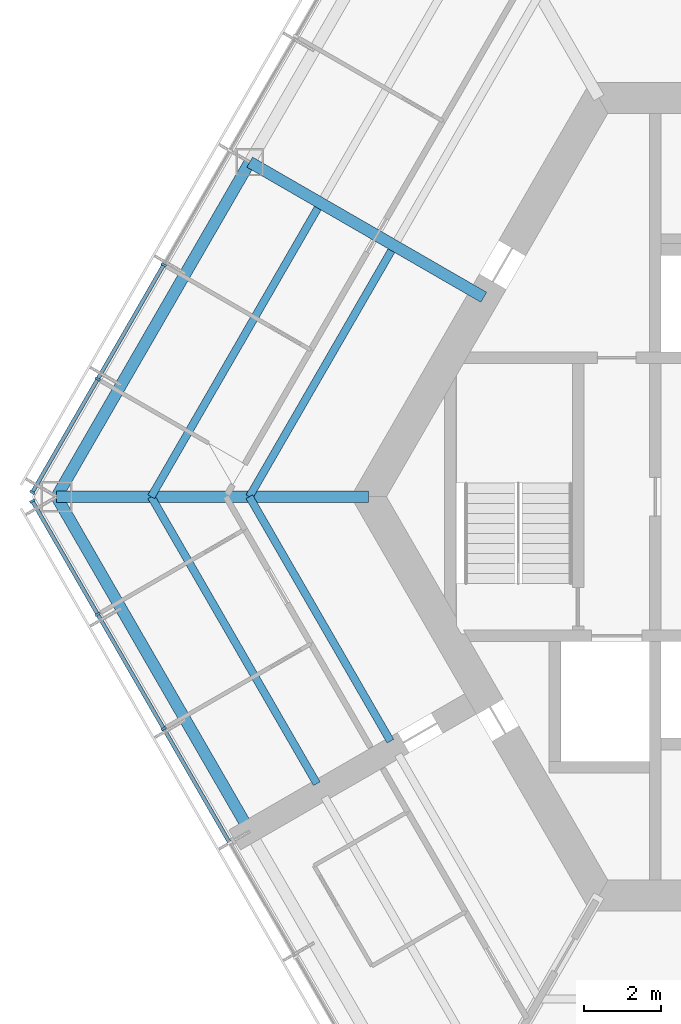
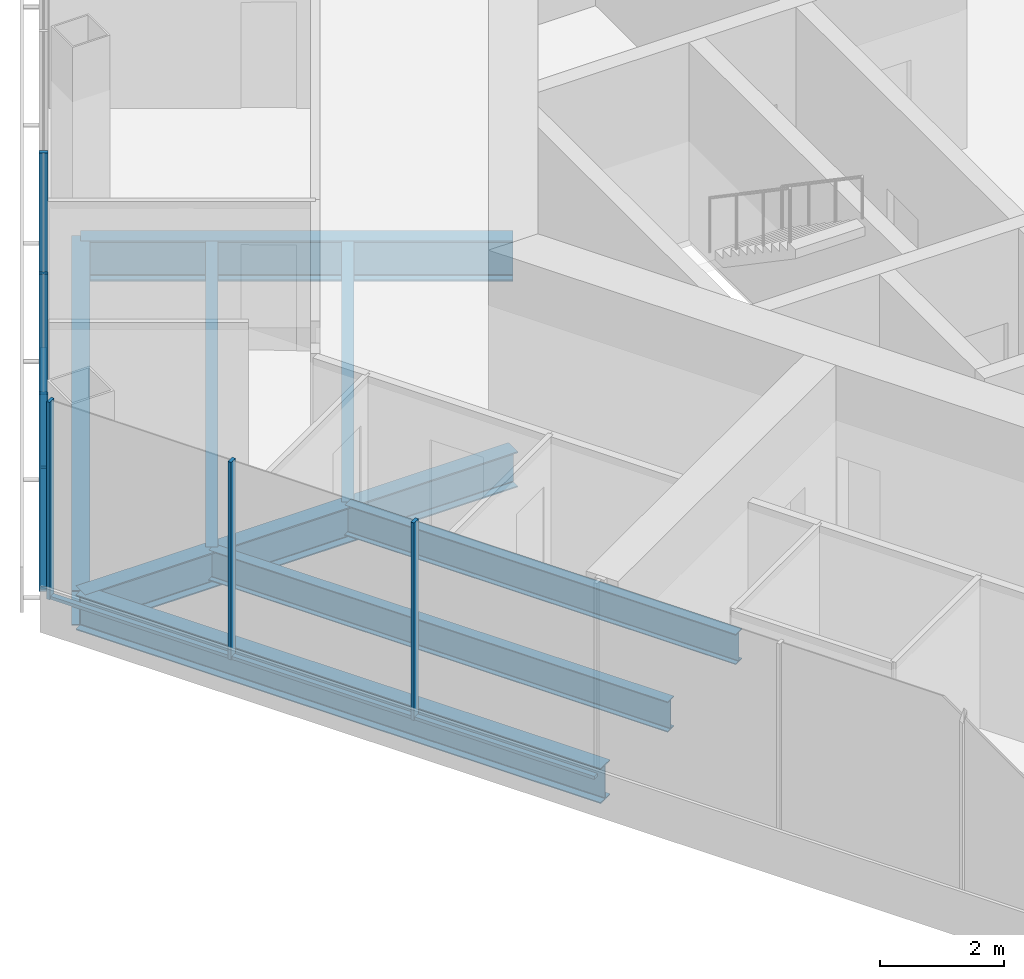
# One storey, part 3 of 17: 11 members, 8 beams, 2 elements without a shape of their own.
"""IFC4 building model written with IfcOpenShell, lengths in metres."""

from ifc_helpers import new_model, si_unit, direction, frame, origin, origin_2d, place, context, subcontext, project, spatial, rectangle, i_section, extrude, material, material_profile, profile_set, type_object, element, aggregate, save


model = new_model("IFC4")

# Units and contexts
model_context = context("Model", 3, precision=1e-05, world=origin(), true_north=direction((0.0, 1.0)))
body_context = subcontext(model_context, "Body", "Model", "MODEL_VIEW")
ifc_project = project(units=[si_unit("LENGTHUNIT", "METRE"), si_unit("AREAUNIT", "SQUARE_METRE"), si_unit("VOLUMEUNIT", "CUBIC_METRE"), si_unit("PLANEANGLEUNIT", "RADIAN"), si_unit("MASSUNIT", "GRAM", prefix="KILO")], contexts=[model_context])

# Site, building, storey
site_placement = place(None, origin())
site = spatial("IfcSite", under=ifc_project, at=site_placement, CompositionType="ELEMENT")
building_placement = place(site_placement, origin())
building = spatial("IfcBuilding", under=site, at=building_placement, Name="Kasaneha Research Tower", CompositionType="ELEMENT")
storey_placement = place(building_placement, frame((0.0, 0.0, 232.300048828125)))
storey = spatial("IfcBuildingStorey", under=building, at=storey_placement, Name="L58", CompositionType="ELEMENT", Elevation=232.300048828125)

# Beams
ifc_material_1 = material(Name="Steel SN490B", Category="steel")
ifc_material_profile_1 = material_profile(ifc_material_1, i_section(OverallWidth=0.199951171875, OverallDepth=0.60009765625, WebThickness=0.010986328125, FlangeThickness=0.01708984375, FilletRadius=0.012939453125, at=origin_2d()), Name="H-600x200x11x17")
ifc_profile_set_1 = profile_set([ifc_material_profile_1], Name="Steel SN490B")
beam_type_1 = type_object("IfcBeamType", Name="B1-3 secondary beam H-600x200x11x17", PredefinedType="JOIST", material=ifc_profile_set_1)
beam_1_placement = place(storey_placement, frame((-15.010986328125, 0.0, -0.449951171875), z_axis=(0.499994443168, 0.866028611999, 0.0), x_axis=(-0.866028611999, 0.499994443168, 0.0)))
element("IfcBeam", 1, at=beam_1_placement, inside=storey, type_object=beam_type_1, Name="Secondary beam RS150R1 L58", PredefinedType="JOIST", context=body_context, shape_type="SweptSolid", body=[
    extrude(i_section(OverallWidth=0.199951171875, OverallDepth=0.60009765625, WebThickness=0.010986328125, FlangeThickness=0.01708984375, FilletRadius=0.012939453125, at=origin_2d()), origin(), (0.0, 0.0, 1.0), 7.35546875),
])
beam_2_placement = place(storey_placement, frame((-17.551513671875, 0.0, -0.449951171875), z_axis=(0.5000050195, 0.866022505755, 0.0), x_axis=(-0.866022505755, 0.5000050195, 0.0)))
element("IfcBeam", 2, at=beam_2_placement, inside=storey, type_object=beam_type_1, Name="Secondary beam RS150R2 L58", PredefinedType="JOIST", context=body_context, shape_type="SweptSolid", body=[
    extrude(i_section(OverallWidth=0.199951171875, OverallDepth=0.60009765625, WebThickness=0.010986328125, FlangeThickness=0.01708984375, FilletRadius=0.012939453125, at=origin_2d()), origin(), (0.0, 0.0, 1.0), 8.6259765625),
])
beam_3_placement = place(storey_placement, frame((-15.010986328125, 0.0, -0.449951171875), z_axis=(0.499974128195, -0.866040340363, 0.0), x_axis=(0.866040340363, 0.499974128195, 0.0)))
element("IfcBeam", 3, at=beam_3_placement, inside=storey, type_object=beam_type_1, Name="Secondary beam RS210L1 L58", PredefinedType="JOIST", context=body_context, shape_type="SweptSolid", body=[
    extrude(i_section(OverallWidth=0.199951171875, OverallDepth=0.60009765625, WebThickness=0.010986328125, FlangeThickness=0.01708984375, FilletRadius=0.012939453125, at=origin_2d()), origin(), (0.0, 0.0, 1.0), 7.3056640625),
])
beam_4_placement = place(storey_placement, frame((-17.551513671875, 0.0, -0.449951171875), z_axis=(0.500000102728, -0.866025344474, 0.0), x_axis=(0.866025344474, 0.500000102728, 0.0)))
element("IfcBeam", 4, at=beam_4_placement, inside=storey, type_object=beam_type_1, Name="Secondary beam RS210L2 L58", PredefinedType="JOIST", context=body_context, shape_type="SweptSolid", body=[
    extrude(i_section(OverallWidth=0.199951171875, OverallDepth=0.60009765625, WebThickness=0.010986328125, FlangeThickness=0.01708984375, FilletRadius=0.012939453125, at=origin_2d()), origin(), (0.0, 0.0, 1.0), 8.57568359375),
])

# Curtain wall, members
ifc_material_2 = material(Name="Glass and aluminium", Category="aluminium")
curtain_wall_type = type_object("IfcCurtainWallType", Name="High-rise office curtain wall", PredefinedType="USERDEFINED", material=ifc_material_2)
curtain_wall_1_placement = place(storey_placement, origin())
curtain_wall_1 = element("IfcCurtainWall", 5, at=curtain_wall_1_placement, inside=storey, type_object=curtain_wall_type, Name="CW-O3 L58 run 03a", ObjectType="UNITISED CURTAIN WALL", PredefinedType="USERDEFINED")
ifc_material_3 = material(Name="Aluminium 6063-T6", Category="aluminium")
ifc_material_profile_2 = material_profile(ifc_material_3, rectangle(XDim=0.06005859375, YDim=0.139892578125, at=origin_2d()), Name="CW-O3 mullion 60x140")
ifc_profile_set_2 = profile_set([ifc_material_profile_2], Name="Aluminium 6063-T6")
member_type_1 = type_object("IfcMemberType", Name="CW-O3 mullion", PredefinedType="MULLION", material=ifc_profile_set_2)
member_1_placement = place(storey_placement, frame((-17.227294921875, 6.00244140625, 0.0), z_axis=(0.0, 0.0, 1.0), x_axis=(-0.499999995722, -0.866025406254, 0.0)))
member_1 = element("IfcMember", 6, at=member_1_placement, type_object=member_type_1, Name="CW-O3 mullion 5", PredefinedType="MULLION", context=body_context, shape_type="SweptSolid", body=[
    extrude(rectangle(XDim=0.06005859375, YDim=0.139892578125, at=origin_2d()), origin(), (0.0, 0.0, 1.0), 3.89990234375),
])
member_2_placement = place(storey_placement, frame((-18.93505859375, 3.04443359375, 0.0), z_axis=(0.0, 0.0, 1.0), x_axis=(-0.499999995722, -0.866025406254, 0.0)))
member_2 = element("IfcMember", 7, at=member_2_placement, type_object=member_type_1, Name="CW-O3 mullion 6", PredefinedType="MULLION", context=body_context, shape_type="SweptSolid", body=[
    extrude(rectangle(XDim=0.06005859375, YDim=0.139892578125, at=origin_2d()), origin(), (0.0, 0.0, 1.0), 3.89990234375),
])
member_3_placement = place(storey_placement, frame((-20.6279296875, 0.112548828125, 0.0), z_axis=(0.0, 0.0, 1.0), x_axis=(-0.499999995722, -0.866025406254, 0.0)))
member_3 = element("IfcMember", 8, at=member_3_placement, type_object=member_type_1, Name="CW-O3 mullion 7", PredefinedType="MULLION", context=body_context, shape_type="SweptSolid", body=[
    extrude(rectangle(XDim=0.06005859375, YDim=0.139892578125, at=origin_2d()), origin(), (0.0, 0.0, 1.0), 3.89990234375),
])

curtain_wall_2_placement = place(storey_placement, origin())
curtain_wall_2 = element("IfcCurtainWall", 9, at=curtain_wall_2_placement, inside=storey, type_object=curtain_wall_type, Name="CW-O3 L58 run 04a", ObjectType="UNITISED CURTAIN WALL", PredefinedType="USERDEFINED")
member_4_placement = place(storey_placement, frame((-20.6279296875, -0.112548828125, 0.0), z_axis=(0.0, 0.0, 1.0), x_axis=(0.499999995722, -0.866025406254, 0.0)))
member_4 = element("IfcMember", 10, at=member_4_placement, type_object=member_type_1, Name="CW-O3 mullion 1", PredefinedType="MULLION", context=body_context, shape_type="SweptSolid", body=[
    extrude(rectangle(XDim=0.06005859375, YDim=0.139892578125, at=origin_2d()), origin(), (0.0, 0.0, 1.0), 3.89990234375),
])
member_5_placement = place(storey_placement, frame((-18.93505859375, -3.04443359375, 0.0), z_axis=(0.0, 0.0, 1.0), x_axis=(0.499999995722, -0.866025406254, 0.0)))
member_5 = element("IfcMember", 11, at=member_5_placement, type_object=member_type_1, Name="CW-O3 mullion 2", PredefinedType="MULLION", context=body_context, shape_type="SweptSolid", body=[
    extrude(rectangle(XDim=0.06005859375, YDim=0.139892578125, at=origin_2d()), origin(), (0.0, 0.0, 1.0), 3.89990234375),
])
member_6_placement = place(storey_placement, frame((-17.227294921875, -6.00244140625, 0.0), z_axis=(0.0, 0.0, 1.0), x_axis=(0.499999995722, -0.866025406254, 0.0)))
member_6 = element("IfcMember", 12, at=member_6_placement, type_object=member_type_1, Name="CW-O3 mullion 3", PredefinedType="MULLION", context=body_context, shape_type="SweptSolid", body=[
    extrude(rectangle(XDim=0.06005859375, YDim=0.139892578125, at=origin_2d()), origin(), (0.0, 0.0, 1.0), 3.89990234375),
])

# Member
ifc_material_4 = material(Name="Aluminium 6063-T6", Category="aluminium")
ifc_material_profile_3 = material_profile(ifc_material_4, rectangle(XDim=0.10009765625, YDim=0.06005859375, at=origin_2d()), Name="CW-O3 transom 100x60")
ifc_profile_set_3 = profile_set([ifc_material_profile_3], Name="Aluminium 6063-T6")
member_type_2 = type_object("IfcMemberType", Name="CW-O3 transom", PredefinedType="USERDEFINED", material=ifc_profile_set_3)
member_7_placement = place(storey_placement, frame((-17.242431640625, 5.976318359375, 0.030029296875), z_axis=(-0.500020578564, -0.866013522419, 0.0), x_axis=(0.866013522419, -0.500020578564, 0.0)))
member_7 = element("IfcMember", 13, at=member_7_placement, type_object=member_type_2, Name="CW-O3 transom 5", ObjectType="TRANSOM", PredefinedType="USERDEFINED", context=body_context, shape_type="SweptSolid", body=[
    extrude(rectangle(XDim=0.10009765625, YDim=0.06005859375, at=origin_2d()), origin(), (0.0, 0.0, 1.0), 3.355224609375),
])

member_8_placement = place(storey_placement, frame((-18.9501953125, 3.0185546875, 0.030029296875), z_axis=(-0.49997666526, -0.866038875684, 0.0), x_axis=(0.866038875684, -0.49997666526, 0.0)))
member_8 = element("IfcMember", 14, at=member_8_placement, type_object=member_type_2, Name="CW-O3 transom 6", ObjectType="TRANSOM", PredefinedType="USERDEFINED", context=body_context, shape_type="SweptSolid", body=[
    extrude(rectangle(XDim=0.10009765625, YDim=0.06005859375, at=origin_2d()), origin(), (0.0, 0.0, 1.0), 3.325439453125),
])

aggregate(curtain_wall_1, [member_1, member_2, member_3, member_7, member_8])

member_9_placement = place(storey_placement, frame((-20.61279296875, -0.138671875, 0.030029296875), z_axis=(0.49997666526, -0.866038875684, 0.0), x_axis=(0.866038875684, 0.49997666526, 0.0)))
member_9 = element("IfcMember", 15, at=member_9_placement, type_object=member_type_2, Name="CW-O3 transom 1", ObjectType="TRANSOM", PredefinedType="USERDEFINED", context=body_context, shape_type="SweptSolid", body=[
    extrude(rectangle(XDim=0.10009765625, YDim=0.06005859375, at=origin_2d()), origin(), (0.0, 0.0, 1.0), 3.325439453125),
])

member_10_placement = place(storey_placement, frame((-18.920166015625, -3.070556640625, 0.030029296875), z_axis=(0.500020578564, -0.866013522419, 0.0), x_axis=(0.866013522419, 0.500020578564, 0.0)))
member_10 = element("IfcMember", 16, at=member_10_placement, type_object=member_type_2, Name="CW-O3 transom 2", ObjectType="TRANSOM", PredefinedType="USERDEFINED", context=body_context, shape_type="SweptSolid", body=[
    extrude(rectangle(XDim=0.10009765625, YDim=0.06005859375, at=origin_2d()), origin(), (0.0, 0.0, 1.0), 3.355224609375),
])

member_11_placement = place(storey_placement, frame((-17.21240234375, -6.0283203125, 0.030029296875), z_axis=(0.499989072476, -0.866031712701, 0.0), x_axis=(0.866031712701, 0.499989072476, 0.0)))
member_11 = element("IfcMember", 17, at=member_11_placement, type_object=member_type_2, Name="CW-O3 transom 3", ObjectType="TRANSOM", PredefinedType="USERDEFINED", context=body_context, shape_type="SweptSolid", body=[
    extrude(rectangle(XDim=0.10009765625, YDim=0.06005859375, at=origin_2d()), origin(), (0.0, 0.0, 1.0), 3.35546875),
])

aggregate(curtain_wall_2, [member_4, member_5, member_6, member_9, member_10, member_11])

# Beams
ifc_material_5 = material(Name="Steel SN490B", Category="steel")
ifc_material_profile_4 = material_profile(ifc_material_5, i_section(OverallWidth=0.300048828125, OverallDepth=0.699951171875, WebThickness=0.012939453125, FlangeThickness=0.02392578125, FilletRadius=0.01806640625, at=origin_2d()), Name="H-700x300x13x24")
ifc_profile_set_4 = profile_set([ifc_material_profile_4], Name="Steel SN490B")
beam_type_2 = type_object("IfcBeamType", Name="G1-3 radial girder H-700x300x13x24", PredefinedType="BEAM", material=ifc_profile_set_4)
beam_5_placement = place(storey_placement, frame((-11.92236328125, 0.0, -0.5), z_axis=(-1.0, 0.0, 0.0), x_axis=(0.0, -1.0, 0.0)))
element("IfcBeam", 18, at=beam_5_placement, inside=storey, type_object=beam_type_2, Name="Radial girder RV180 L58", PredefinedType="BEAM", context=body_context, shape_type="SweptSolid", body=[
    extrude(i_section(OverallWidth=0.300048828125, OverallDepth=0.699951171875, WebThickness=0.012939453125, FlangeThickness=0.02392578125, FilletRadius=0.01806640625, at=origin_2d()), origin(), (0.0, 0.0, 1.0), 8.07763671875),
])
ifc_material_6 = material(Name="Steel SN490B", Category="steel")
ifc_material_profile_5 = material_profile(ifc_material_6, i_section(OverallWidth=0.300048828125, OverallDepth=0.800048828125, WebThickness=0.013916015625, FlangeThickness=0.02587890625, FilletRadius=0.01806640625, at=origin_2d()), Name="H-800x300x14x26")
ifc_profile_set_5 = profile_set([ifc_material_profile_5], Name="Steel SN490B")
beam_type_3 = type_object("IfcBeamType", Name="G2-3 radial girder H-800x300x14x26", PredefinedType="BEAM", material=ifc_profile_set_5)
beam_6_placement = place(storey_placement, frame((-8.941650390625, 5.16259765625, -0.550048828125), z_axis=(-0.866039713508, 0.499975214012, 0.0), x_axis=(-0.499975214012, -0.866039713508, 0.0)))
element("IfcBeam", 19, at=beam_6_placement, inside=storey, type_object=beam_type_3, Name="Radial girder RM150 L58", PredefinedType="BEAM", context=body_context, shape_type="SweptSolid", body=[
    extrude(i_section(OverallWidth=0.300048828125, OverallDepth=0.800048828125, WebThickness=0.013916015625, FlangeThickness=0.02587890625, FilletRadius=0.01806640625, at=origin_2d()), origin(), (0.0, 0.0, 1.0), 6.995361328125),
])
ifc_material_7 = material(Name="Steel SN490B", Category="steel")
ifc_material_profile_6 = material_profile(ifc_material_7, i_section(OverallWidth=0.300048828125, OverallDepth=0.69189453125, WebThickness=0.012939453125, FlangeThickness=0.02001953125, FilletRadius=0.01806640625, at=origin_2d()), Name="H-692x300x13x20")
ifc_profile_set_6 = profile_set([ifc_material_profile_6], Name="Steel SN490B")
beam_type_4 = type_object("IfcBeamType", Name="G3-3 plate edge girder H-692x300x13x20", PredefinedType="BEAM", material=ifc_profile_set_6)
beam_7_placement = place(storey_placement, frame((-20.0, 0.0, -0.49609375), z_axis=(0.49999201416, -0.866030014362, 0.0), x_axis=(0.866030014362, 0.49999201416, 0.0)))
element("IfcBeam", 20, at=beam_7_placement, inside=storey, type_object=beam_type_4, Name="Plate edge girder PEBP L58", PredefinedType="BEAM", context=body_context, shape_type="SweptSolid", body=[
    extrude(i_section(OverallWidth=0.300048828125, OverallDepth=0.69189453125, WebThickness=0.012939453125, FlangeThickness=0.02001953125, FilletRadius=0.01806640625, at=origin_2d()), origin(), (0.0, 0.0, 1.0), 9.800048828125),
])
ifc_material_8 = material(Name="Steel SN490B", Category="steel")
ifc_material_profile_7 = material_profile(ifc_material_8, i_section(OverallWidth=0.300048828125, OverallDepth=0.69189453125, WebThickness=0.012939453125, FlangeThickness=0.02001953125, FilletRadius=0.01806640625, at=origin_2d()), Name="H-692x300x13x20")
ifc_profile_set_7 = profile_set([ifc_material_profile_7], Name="Steel SN490B")
beam_type_5 = type_object("IfcBeamType", Name="SB1-3 spandrel beam H-692x300x13x20", PredefinedType="SPANDREL", material=ifc_profile_set_7)
beam_8_placement = place(storey_placement, frame((-20.0, 0.0, -0.49609375), z_axis=(0.500004234368, 0.866022959057, 0.0), x_axis=(-0.866022959057, 0.500004234368, 0.0)))
element("IfcBeam", 21, at=beam_8_placement, inside=storey, type_object=beam_type_5, Name="Spandrel beam SR150R L58", PredefinedType="SPANDREL", context=body_context, shape_type="SweptSolid", body=[
    extrude(i_section(OverallWidth=0.300048828125, OverallDepth=0.69189453125, WebThickness=0.012939453125, FlangeThickness=0.02001953125, FilletRadius=0.01806640625, at=origin_2d()), origin(), (0.0, 0.0, 1.0), 10.0),
])

save(model, "model.ifc")
